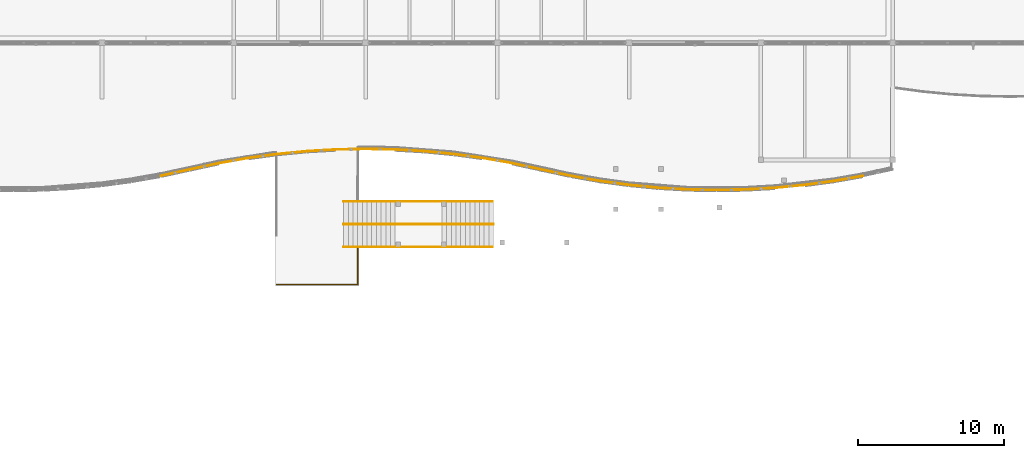
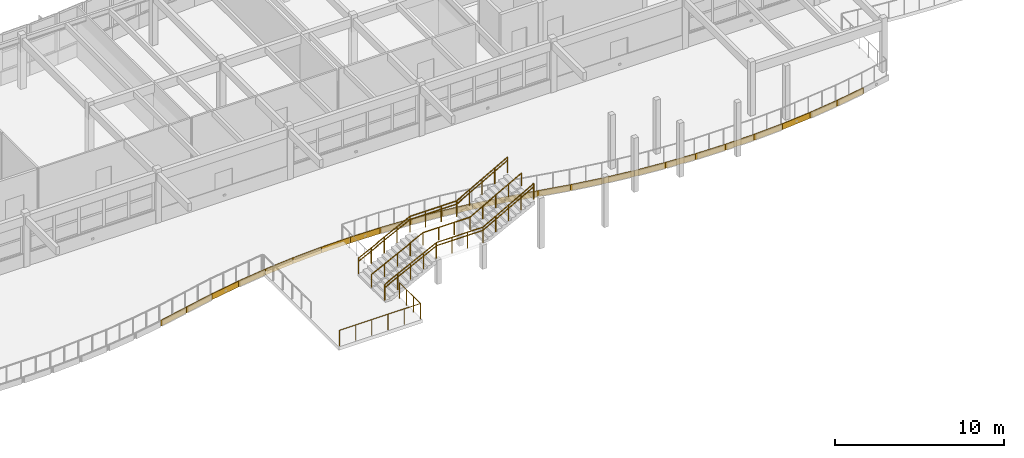
# One storey, part 59 of 63: 24 coverings, 6 railings.
"""IFC4 building model written with IfcOpenShell, lengths in metres."""

from ifc_helpers import new_model, si_unit, direction, frame, origin, origin_2d, place, context, subcontext, project, spatial, polyline, circle, outline, extrude, material, layer, layer_set, type_object, element, save


model = new_model("IFC4")

# Units and contexts
model_context = context("Model", 3, precision=1e-05, world=origin(), true_north=direction((0.0, 1.0)))
body_context = subcontext(model_context, "Body", "Model", "MODEL_VIEW")
ifc_project = project(units=[si_unit("LENGTHUNIT", "METRE"), si_unit("AREAUNIT", "SQUARE_METRE"), si_unit("VOLUMEUNIT", "CUBIC_METRE"), si_unit("PLANEANGLEUNIT", "RADIAN"), si_unit("MASSUNIT", "GRAM", prefix="KILO")], contexts=[model_context])

# Site, building, storey
site_placement = place(None, origin())
site = spatial("IfcSite", under=ifc_project, at=site_placement, CompositionType="ELEMENT")
building_placement = place(site_placement, origin())
building = spatial("IfcBuilding", under=site, at=building_placement, Name="Tonlespit Floodbar School", CompositionType="ELEMENT")
storey_placement = place(building_placement, frame((0.0, 0.0, 8.39990234375)))
storey = spatial("IfcBuildingStorey", under=building, at=storey_placement, Name="L02", CompositionType="ELEMENT", Elevation=8.39990234375)

# Railings
ifc_material_1 = material(Name="Galvanised Steel", Category="steel")
railing_type_1 = type_object("IfcRailingType", Name="Balustrade_Ext_1150", PredefinedType="BALUSTRADE", material=ifc_material_1)
railing_1_placement = place(storey_placement, frame((79.4599609375, 89.9599609375, 0.0)))
element("IfcRailing", 1, at=railing_1_placement, inside=storey, type_object=railing_type_1, Name="L02 terrace balustrade 015", PredefinedType="BALUSTRADE", context=body_context, shape_type="SweptSolid", body=[
    extrude(circle(Radius=0.02392578125, at=origin_2d()), frame((0.0, 0.0, 1.1259765625), z_axis=(0.0, -1.0, 0.0), x_axis=(1.0, 0.0, 0.0)), (0.0, 0.0, 1.0), 2.4794921875),
    extrude(circle(Radius=0.02392578125, at=origin_2d()), frame((0.0, -2.4794921875, 1.1259765625), z_axis=(-0.999999996115, -8.8144557e-05, 0.0), x_axis=(8.8144557e-05, -0.999999996115, 0.0)), (0.0, 0.0, 1.0), 5.53955078125),
    extrude(circle(Radius=0.02099609375, at=origin_2d()), origin(), (0.0, 0.0, 1.0), 1.101806640625),
    extrude(circle(Radius=0.02099609375, at=origin_2d()), frame((0.0, -0.826416015625, 0.0)), (0.0, 0.0, 1.0), 1.101806640625),
    extrude(circle(Radius=0.02099609375, at=origin_2d()), frame((0.0, -1.653076171875, 0.0)), (0.0, 0.0, 1.0), 1.101806640625),
    extrude(circle(Radius=0.02099609375, at=origin_2d()), frame((0.0, -2.4794921875, 0.0)), (0.0, 0.0, 1.0), 1.101806640625),
    extrude(circle(Radius=0.02099609375, at=origin_2d()), frame((-1.10791015625, -2.4794921875, 0.0)), (0.0, 0.0, 1.0), 1.101806640625),
    extrude(circle(Radius=0.02099609375, at=origin_2d()), frame((-2.2158203125, -2.479736328125, 0.0)), (0.0, 0.0, 1.0), 1.101806640625),
    extrude(circle(Radius=0.02099609375, at=origin_2d()), frame((-3.32373046875, -2.479736328125, 0.0)), (0.0, 0.0, 1.0), 1.101806640625),
    extrude(circle(Radius=0.02099609375, at=origin_2d()), frame((-4.431640625, -2.47998046875, 0.0)), (0.0, 0.0, 1.0), 1.101806640625),
    extrude(circle(Radius=0.02099609375, at=origin_2d()), frame((-5.53955078125, -2.47998046875, 0.0)), (0.0, 0.0, 1.0), 1.101806640625),
])
railing_2_placement = place(storey_placement, frame((78.5, 90.0400390625, 0.16259765625)))
element("IfcRailing", 2, at=railing_2_placement, inside=storey, type_object=railing_type_1, Name="ST-CT3 side guard 1", PredefinedType="BALUSTRADE", context=body_context, shape_type="SweptSolid", body=[
    extrude(circle(Radius=0.02392578125, at=origin_2d()), frame((0.0, 0.0, 1.1259765625), z_axis=(0.891614535321, 0.0, 0.452795230103), x_axis=(0.0, 1.0, 0.0)), (0.0, 0.0, 1.0), 3.947998046875),
    extrude(circle(Radius=0.02392578125, at=origin_2d()), frame((3.52001953125, 0.0, 2.91357421875), z_axis=(1.0, 0.0, 0.0), x_axis=(0.0, 1.0, 0.0)), (0.0, 0.0, 1.0), 3.199951171875),
    extrude(circle(Radius=0.02392578125, at=origin_2d()), frame((6.719970703125, 0.0, 2.91357421875), z_axis=(0.871174677944, 0.0, 0.490973197343), x_axis=(0.0, 1.0, 0.0)), (0.0, 0.0, 1.0), 3.9716796875),
    extrude(circle(Radius=0.02099609375, at=origin_2d()), origin(), (0.0, 0.0, 1.0), 1.101806640625),
    extrude(circle(Radius=0.02099609375, at=origin_2d()), frame((0.8798828125, 0.0, 0.44677734375)), (0.0, 0.0, 1.0), 1.101806640625),
    extrude(circle(Radius=0.02099609375, at=origin_2d()), frame((1.760009765625, 0.0, 0.893798828125)), (0.0, 0.0, 1.0), 1.101806640625),
    extrude(circle(Radius=0.02099609375, at=origin_2d()), frame((2.64013671875, 0.0, 1.3408203125)), (0.0, 0.0, 1.0), 1.101806640625),
    extrude(circle(Radius=0.02099609375, at=origin_2d()), frame((3.52001953125, 0.0, 1.78759765625)), (0.0, 0.0, 1.0), 1.101806640625),
    extrude(circle(Radius=0.02099609375, at=origin_2d()), frame((4.586669921875, 0.0, 1.78759765625)), (0.0, 0.0, 1.0), 1.101806640625),
    extrude(circle(Radius=0.02099609375, at=origin_2d()), frame((5.6533203125, 0.0, 1.78759765625)), (0.0, 0.0, 1.0), 1.101806640625),
    extrude(circle(Radius=0.02099609375, at=origin_2d()), frame((6.719970703125, 0.0, 1.78759765625)), (0.0, 0.0, 1.0), 1.101806640625),
    extrude(circle(Radius=0.02099609375, at=origin_2d()), frame((7.5849609375, 0.0, 2.275146484375)), (0.0, 0.0, 1.0), 1.101806640625),
    extrude(circle(Radius=0.02099609375, at=origin_2d()), frame((8.449951171875, 0.0, 2.7626953125)), (0.0, 0.0, 1.0), 1.101806640625),
    extrude(circle(Radius=0.02099609375, at=origin_2d()), frame((9.31494140625, 0.0, 3.25)), (0.0, 0.0, 1.0), 1.101806640625),
    extrude(circle(Radius=0.02099609375, at=origin_2d()), frame((10.179931640625, 0.0, 3.737548828125)), (0.0, 0.0, 1.0), 1.101806640625),
])
railing_3_placement = place(storey_placement, frame((78.5, 93.159912109375, 0.16259765625)))
element("IfcRailing", 3, at=railing_3_placement, inside=storey, type_object=railing_type_1, Name="ST-CT3 side guard 2", PredefinedType="BALUSTRADE", context=body_context, shape_type="SweptSolid", body=[
    extrude(circle(Radius=0.02392578125, at=origin_2d()), frame((0.0, 0.0, 1.1259765625), z_axis=(0.891614535321, 0.0, 0.452795230103), x_axis=(0.0, 1.0, 0.0)), (0.0, 0.0, 1.0), 3.947998046875),
    extrude(circle(Radius=0.02392578125, at=origin_2d()), frame((3.52001953125, 0.0, 2.91357421875), z_axis=(1.0, 0.0, 0.0), x_axis=(0.0, 1.0, 0.0)), (0.0, 0.0, 1.0), 3.199951171875),
    extrude(circle(Radius=0.02392578125, at=origin_2d()), frame((6.719970703125, 0.0, 2.91357421875), z_axis=(0.871174677944, 0.0, 0.490973197343), x_axis=(0.0, 1.0, 0.0)), (0.0, 0.0, 1.0), 3.9716796875),
    extrude(circle(Radius=0.02099609375, at=origin_2d()), origin(), (0.0, 0.0, 1.0), 1.101806640625),
    extrude(circle(Radius=0.02099609375, at=origin_2d()), frame((0.8798828125, 0.0, 0.44677734375)), (0.0, 0.0, 1.0), 1.101806640625),
    extrude(circle(Radius=0.02099609375, at=origin_2d()), frame((1.760009765625, 0.0, 0.893798828125)), (0.0, 0.0, 1.0), 1.101806640625),
    extrude(circle(Radius=0.02099609375, at=origin_2d()), frame((2.64013671875, 0.0, 1.3408203125)), (0.0, 0.0, 1.0), 1.101806640625),
    extrude(circle(Radius=0.02099609375, at=origin_2d()), frame((3.52001953125, 0.0, 1.78759765625)), (0.0, 0.0, 1.0), 1.101806640625),
    extrude(circle(Radius=0.02099609375, at=origin_2d()), frame((4.586669921875, 0.0, 1.78759765625)), (0.0, 0.0, 1.0), 1.101806640625),
    extrude(circle(Radius=0.02099609375, at=origin_2d()), frame((5.6533203125, 0.0, 1.78759765625)), (0.0, 0.0, 1.0), 1.101806640625),
    extrude(circle(Radius=0.02099609375, at=origin_2d()), frame((6.719970703125, 0.0, 1.78759765625)), (0.0, 0.0, 1.0), 1.101806640625),
    extrude(circle(Radius=0.02099609375, at=origin_2d()), frame((7.5849609375, 0.0, 2.275146484375)), (0.0, 0.0, 1.0), 1.101806640625),
    extrude(circle(Radius=0.02099609375, at=origin_2d()), frame((8.449951171875, 0.0, 2.7626953125)), (0.0, 0.0, 1.0), 1.101806640625),
    extrude(circle(Radius=0.02099609375, at=origin_2d()), frame((9.31494140625, 0.0, 3.25)), (0.0, 0.0, 1.0), 1.101806640625),
    extrude(circle(Radius=0.02099609375, at=origin_2d()), frame((10.179931640625, 0.0, 3.737548828125)), (0.0, 0.0, 1.0), 1.101806640625),
])

# Coverings
ifc_material_2 = material(Name="White Architectural Aluminium", Category="aluminium")
ifc_layer = layer(ifc_material_2, 0.050048828125)
ifc_layer_set = layer_set([ifc_layer], Name="White Architectural Aluminium")
covering_type = type_object("IfcCoveringType", Name="Cladding_WhiteBand_50", PredefinedType="CLADDING", material=ifc_layer_set)
covering_1_placement = place(storey_placement, frame((0.0, 0.0, -0.2998046875)))
element("IfcCovering", 4, at=covering_1_placement, inside=storey, type_object=covering_type, Name="L02 curved white spandrel cladding 0189", PredefinedType="CLADDING", context=body_context, shape_type="SweptSolid", body=[
    extrude(outline(polyline([(66.0, 94.927001953125), (68.0, 95.360107421875), (68.0, 95.31005859375), (66.0, 94.876953125), (66.0, 94.927001953125)])), origin(), (0.0, 0.0, 1.0), 0.419921875),
])
covering_2_placement = place(storey_placement, frame((0.0, 0.0, -0.2998046875)))
element("IfcCovering", 5, at=covering_2_placement, inside=storey, type_object=covering_type, Name="L02 curved white spandrel cladding 0190", PredefinedType="CLADDING", context=body_context, shape_type="SweptSolid", body=[
    extrude(outline(polyline([(68.0, 95.360107421875), (70.0, 95.79296875), (70.0, 95.742919921875), (68.0, 95.31005859375), (68.0, 95.360107421875)])), origin(), (0.0, 0.0, 1.0), 0.419921875),
])
covering_3_placement = place(storey_placement, frame((0.0, 0.0, -0.2998046875)))
element("IfcCovering", 6, at=covering_3_placement, inside=storey, type_object=covering_type, Name="L02 curved white spandrel cladding 0191", PredefinedType="CLADDING", context=body_context, shape_type="SweptSolid", body=[
    extrude(outline(polyline([(70.0, 95.79296875), (72.0, 96.14453125), (72.0, 96.094482421875), (70.0, 95.742919921875), (70.0, 95.79296875)])), origin(), (0.0, 0.0, 1.0), 0.419921875),
])
covering_4_placement = place(storey_placement, frame((0.0, 0.0, -0.2998046875)))
element("IfcCovering", 7, at=covering_4_placement, inside=storey, type_object=covering_type, Name="L02 curved white spandrel cladding 0192", PredefinedType="CLADDING", context=body_context, shape_type="SweptSolid", body=[
    extrude(outline(polyline([(72.0, 96.14453125), (74.0, 96.416259765625), (74.0, 96.3662109375), (72.0, 96.094482421875), (72.0, 96.14453125)])), origin(), (0.0, 0.0, 1.0), 0.419921875),
])
covering_5_placement = place(storey_placement, frame((0.0, 0.0, -0.2998046875)))
element("IfcCovering", 8, at=covering_5_placement, inside=storey, type_object=covering_type, Name="L02 curved white spandrel cladding 0193", PredefinedType="CLADDING", context=body_context, shape_type="SweptSolid", body=[
    extrude(outline(polyline([(74.0, 96.416259765625), (76.0, 96.609619140625), (76.0, 96.5595703125), (74.0, 96.3662109375), (74.0, 96.416259765625)])), origin(), (0.0, 0.0, 1.0), 0.419921875),
])
covering_6_placement = place(storey_placement, frame((0.0, 0.0, -0.2998046875)))
element("IfcCovering", 9, at=covering_6_placement, inside=storey, type_object=covering_type, Name="L02 curved white spandrel cladding 0194", PredefinedType="CLADDING", context=body_context, shape_type="SweptSolid", body=[
    extrude(outline(polyline([(76.0, 96.609619140625), (78.0, 96.72509765625), (78.0, 96.675048828125), (76.0, 96.5595703125), (76.0, 96.609619140625)])), origin(), (0.0, 0.0, 1.0), 0.419921875),
])
covering_7_placement = place(storey_placement, frame((0.0, 0.0, -0.2998046875)))
element("IfcCovering", 10, at=covering_7_placement, inside=storey, type_object=covering_type, Name="L02 curved white spandrel cladding 0195", PredefinedType="CLADDING", context=body_context, shape_type="SweptSolid", body=[
    extrude(outline(polyline([(78.0, 96.72509765625), (80.0, 96.763671875), (80.0, 96.713623046875), (78.0, 96.675048828125), (78.0, 96.72509765625)])), origin(), (0.0, 0.0, 1.0), 0.419921875),
])
covering_8_placement = place(storey_placement, frame((0.0, 0.0, -0.2998046875)))
element("IfcCovering", 11, at=covering_8_placement, inside=storey, type_object=covering_type, Name="L02 curved white spandrel cladding 0196", PredefinedType="CLADDING", context=body_context, shape_type="SweptSolid", body=[
    extrude(outline(polyline([(80.0, 96.763671875), (82.0, 96.72509765625), (82.0, 96.675048828125), (80.0, 96.713623046875), (80.0, 96.763671875)])), origin(), (0.0, 0.0, 1.0), 0.419921875),
])
covering_9_placement = place(storey_placement, frame((0.0, 0.0, -0.2998046875)))
element("IfcCovering", 12, at=covering_9_placement, inside=storey, type_object=covering_type, Name="L02 curved white spandrel cladding 0197", PredefinedType="CLADDING", context=body_context, shape_type="SweptSolid", body=[
    extrude(outline(polyline([(82.0, 96.72509765625), (84.0, 96.609619140625), (84.0, 96.5595703125), (82.0, 96.675048828125), (82.0, 96.72509765625)])), origin(), (0.0, 0.0, 1.0), 0.419921875),
])
covering_10_placement = place(storey_placement, frame((0.0, 0.0, -0.2998046875)))
element("IfcCovering", 13, at=covering_10_placement, inside=storey, type_object=covering_type, Name="L02 curved white spandrel cladding 0198", PredefinedType="CLADDING", context=body_context, shape_type="SweptSolid", body=[
    extrude(outline(polyline([(84.0, 96.609619140625), (86.0, 96.416259765625), (86.0, 96.3662109375), (84.0, 96.5595703125), (84.0, 96.609619140625)])), origin(), (0.0, 0.0, 1.0), 0.419921875),
])
covering_11_placement = place(storey_placement, frame((0.0, 0.0, -0.2998046875)))
element("IfcCovering", 14, at=covering_11_placement, inside=storey, type_object=covering_type, Name="L02 curved white spandrel cladding 0199", PredefinedType="CLADDING", context=body_context, shape_type="SweptSolid", body=[
    extrude(outline(polyline([(86.0, 96.416259765625), (88.0, 96.14453125), (88.0, 96.094482421875), (86.0, 96.3662109375), (86.0, 96.416259765625)])), origin(), (0.0, 0.0, 1.0), 0.419921875),
])
covering_12_placement = place(storey_placement, frame((0.0, 0.0, -0.2998046875)))
element("IfcCovering", 15, at=covering_12_placement, inside=storey, type_object=covering_type, Name="L02 curved white spandrel cladding 0200", PredefinedType="CLADDING", context=body_context, shape_type="SweptSolid", body=[
    extrude(outline(polyline([(88.0, 96.14453125), (90.0, 95.79296875), (90.0, 95.742919921875), (88.0, 96.094482421875), (88.0, 96.14453125)])), origin(), (0.0, 0.0, 1.0), 0.419921875),
])
covering_13_placement = place(storey_placement, frame((0.0, 0.0, -0.2998046875)))
element("IfcCovering", 16, at=covering_13_placement, inside=storey, type_object=covering_type, Name="L02 curved white spandrel cladding 0201", PredefinedType="CLADDING", context=body_context, shape_type="SweptSolid", body=[
    extrude(outline(polyline([(90.0, 95.79296875), (92.0, 95.360107421875), (92.0, 95.31005859375), (90.0, 95.742919921875), (90.0, 95.79296875)])), origin(), (0.0, 0.0, 1.0), 0.419921875),
])
covering_14_placement = place(storey_placement, frame((0.0, 0.0, -0.2998046875)))
element("IfcCovering", 17, at=covering_14_placement, inside=storey, type_object=covering_type, Name="L02 curved white spandrel cladding 0202", PredefinedType="CLADDING", context=body_context, shape_type="SweptSolid", body=[
    extrude(outline(polyline([(92.0, 95.360107421875), (94.0, 94.927001953125), (94.0, 94.876953125), (92.0, 95.31005859375), (92.0, 95.360107421875)])), origin(), (0.0, 0.0, 1.0), 0.419921875),
])
covering_15_placement = place(storey_placement, frame((0.0, 0.0, -0.2998046875)))
element("IfcCovering", 18, at=covering_15_placement, inside=storey, type_object=covering_type, Name="L02 curved white spandrel cladding 0203", PredefinedType="CLADDING", context=body_context, shape_type="SweptSolid", body=[
    extrude(outline(polyline([(94.0, 94.927001953125), (96.0, 94.575439453125), (96.0, 94.525390625), (94.0, 94.876953125), (94.0, 94.927001953125)])), origin(), (0.0, 0.0, 1.0), 0.419921875),
])
covering_16_placement = place(storey_placement, frame((0.0, 0.0, -0.2998046875)))
element("IfcCovering", 19, at=covering_16_placement, inside=storey, type_object=covering_type, Name="L02 curved white spandrel cladding 0204", PredefinedType="CLADDING", context=body_context, shape_type="SweptSolid", body=[
    extrude(outline(polyline([(96.0, 94.575439453125), (98.0, 94.3037109375), (98.0, 94.25390625), (96.0, 94.525390625), (96.0, 94.575439453125)])), origin(), (0.0, 0.0, 1.0), 0.419921875),
])
covering_17_placement = place(storey_placement, frame((0.0, 0.0, -0.2998046875)))
element("IfcCovering", 20, at=covering_17_placement, inside=storey, type_object=covering_type, Name="L02 curved white spandrel cladding 0205", PredefinedType="CLADDING", context=body_context, shape_type="SweptSolid", body=[
    extrude(outline(polyline([(98.0, 94.3037109375), (100.0, 94.110595703125), (100.0, 94.060546875), (98.0, 94.25390625), (98.0, 94.3037109375)])), origin(), (0.0, 0.0, 1.0), 0.419921875),
])
covering_18_placement = place(storey_placement, frame((0.0, 0.0, -0.2998046875)))
element("IfcCovering", 21, at=covering_18_placement, inside=storey, type_object=covering_type, Name="L02 curved white spandrel cladding 0206", PredefinedType="CLADDING", context=body_context, shape_type="SweptSolid", body=[
    extrude(outline(polyline([(100.0, 94.110595703125), (102.0, 93.994873046875), (102.0, 93.94482421875), (100.0, 94.060546875), (100.0, 94.110595703125)])), origin(), (0.0, 0.0, 1.0), 0.419921875),
])
covering_19_placement = place(storey_placement, frame((0.0, 0.0, -0.2998046875)))
element("IfcCovering", 22, at=covering_19_placement, inside=storey, type_object=covering_type, Name="L02 curved white spandrel cladding 0207", PredefinedType="CLADDING", context=body_context, shape_type="SweptSolid", body=[
    extrude(outline(polyline([(102.0, 93.994873046875), (104.0, 93.956298828125), (104.0, 93.906494140625), (102.0, 93.94482421875), (102.0, 93.994873046875)])), origin(), (0.0, 0.0, 1.0), 0.419921875),
])
covering_20_placement = place(storey_placement, frame((0.0, 0.0, -0.2998046875)))
element("IfcCovering", 23, at=covering_20_placement, inside=storey, type_object=covering_type, Name="L02 curved white spandrel cladding 0208", PredefinedType="CLADDING", context=body_context, shape_type="SweptSolid", body=[
    extrude(outline(polyline([(104.0, 93.956298828125), (106.0, 93.994873046875), (106.0, 93.94482421875), (104.0, 93.906494140625), (104.0, 93.956298828125)])), origin(), (0.0, 0.0, 1.0), 0.419921875),
])
covering_21_placement = place(storey_placement, frame((0.0, 0.0, -0.2998046875)))
element("IfcCovering", 24, at=covering_21_placement, inside=storey, type_object=covering_type, Name="L02 curved white spandrel cladding 0209", PredefinedType="CLADDING", context=body_context, shape_type="SweptSolid", body=[
    extrude(outline(polyline([(106.0, 93.994873046875), (108.0, 94.110595703125), (108.0, 94.060546875), (106.0, 93.94482421875), (106.0, 93.994873046875)])), origin(), (0.0, 0.0, 1.0), 0.419921875),
])
covering_22_placement = place(storey_placement, frame((0.0, 0.0, -0.2998046875)))
element("IfcCovering", 25, at=covering_22_placement, inside=storey, type_object=covering_type, Name="L02 curved white spandrel cladding 0210", PredefinedType="CLADDING", context=body_context, shape_type="SweptSolid", body=[
    extrude(outline(polyline([(108.0, 94.110595703125), (110.0, 94.3037109375), (110.0, 94.25390625), (108.0, 94.060546875), (108.0, 94.110595703125)])), origin(), (0.0, 0.0, 1.0), 0.419921875),
])
covering_23_placement = place(storey_placement, frame((0.0, 0.0, -0.2998046875)))
element("IfcCovering", 26, at=covering_23_placement, inside=storey, type_object=covering_type, Name="L02 curved white spandrel cladding 0211", PredefinedType="CLADDING", context=body_context, shape_type="SweptSolid", body=[
    extrude(outline(polyline([(110.0, 94.3037109375), (112.0, 94.575439453125), (112.0, 94.525390625), (110.0, 94.25390625), (110.0, 94.3037109375)])), origin(), (0.0, 0.0, 1.0), 0.419921875),
])
covering_24_placement = place(storey_placement, frame((0.0, 0.0, -0.2998046875)))
element("IfcCovering", 27, at=covering_24_placement, inside=storey, type_object=covering_type, Name="L02 curved white spandrel cladding 0212", PredefinedType="CLADDING", context=body_context, shape_type="SweptSolid", body=[
    extrude(outline(polyline([(112.0, 94.575439453125), (114.0, 94.927001953125), (114.0, 94.876953125), (112.0, 94.525390625), (112.0, 94.575439453125)])), origin(), (0.0, 0.0, 1.0), 0.419921875),
])

# Railings
railing_type_2 = type_object("IfcRailingType", Name="Handrail_Ext_920", PredefinedType="HANDRAIL", material=ifc_material_1)
railing_4_placement = place(storey_placement, frame((78.5, 91.60009765625, 0.16259765625)))
element("IfcRailing", 28, at=railing_4_placement, inside=storey, type_object=railing_type_2, Name="ST-CT3 central handrail", PredefinedType="HANDRAIL", context=body_context, shape_type="SweptSolid", body=[
    extrude(circle(Radius=0.02392578125, at=origin_2d()), frame((0.0, 0.0, 0.89599609375), z_axis=(0.891614535321, 0.0, 0.452795230103), x_axis=(0.0, 1.0, 0.0)), (0.0, 0.0, 1.0), 3.947998046875),
    extrude(circle(Radius=0.02392578125, at=origin_2d()), frame((3.52001953125, 0.0, 2.68359375), z_axis=(1.0, 0.0, 0.0), x_axis=(0.0, 1.0, 0.0)), (0.0, 0.0, 1.0), 3.199951171875),
    extrude(circle(Radius=0.02392578125, at=origin_2d()), frame((6.719970703125, 0.0, 2.68359375), z_axis=(0.874749022873, 0.0, 0.484576255076), x_axis=(0.0, 1.0, 0.0)), (0.0, 0.0, 1.0), 4.02392578125),
    extrude(circle(Radius=0.02099609375, at=origin_2d()), origin(), (0.0, 0.0, 1.0), 0.871826171875),
    extrude(circle(Radius=0.02099609375, at=origin_2d()), frame((0.8798828125, 0.0, 0.44677734375)), (0.0, 0.0, 1.0), 0.871826171875),
    extrude(circle(Radius=0.02099609375, at=origin_2d()), frame((1.760009765625, 0.0, 0.893798828125)), (0.0, 0.0, 1.0), 0.871826171875),
    extrude(circle(Radius=0.02099609375, at=origin_2d()), frame((2.64013671875, 0.0, 1.3408203125)), (0.0, 0.0, 1.0), 0.871826171875),
    extrude(circle(Radius=0.02099609375, at=origin_2d()), frame((3.52001953125, 0.0, 1.78759765625)), (0.0, 0.0, 1.0), 0.871826171875),
    extrude(circle(Radius=0.02099609375, at=origin_2d()), frame((4.586669921875, 0.0, 1.78759765625)), (0.0, 0.0, 1.0), 0.871826171875),
    extrude(circle(Radius=0.02099609375, at=origin_2d()), frame((5.6533203125, 0.0, 1.78759765625)), (0.0, 0.0, 1.0), 0.871826171875),
    extrude(circle(Radius=0.02099609375, at=origin_2d()), frame((6.719970703125, 0.0, 1.78759765625)), (0.0, 0.0, 1.0), 0.871826171875),
    extrude(circle(Radius=0.02099609375, at=origin_2d()), frame((7.60009765625, 0.0, 2.275146484375)), (0.0, 0.0, 1.0), 0.871826171875),
    extrude(circle(Radius=0.02099609375, at=origin_2d()), frame((8.47998046875, 0.0, 2.7626953125)), (0.0, 0.0, 1.0), 0.871826171875),
    extrude(circle(Radius=0.02099609375, at=origin_2d()), frame((9.35986328125, 0.0, 3.25)), (0.0, 0.0, 1.0), 0.871826171875),
    extrude(circle(Radius=0.02099609375, at=origin_2d()), frame((10.239990234375, 0.0, 3.737548828125)), (0.0, 0.0, 1.0), 0.871826171875),
])
railing_5_placement = place(storey_placement, frame((78.5, 90.0400390625, 0.16259765625)))
element("IfcRailing", 29, at=railing_5_placement, inside=storey, type_object=railing_type_2, Name="ST-CT3 handrail 1", PredefinedType="HANDRAIL", context=body_context, shape_type="SweptSolid", body=[
    extrude(circle(Radius=0.02392578125, at=origin_2d()), frame((0.0, 0.0, 0.89599609375), z_axis=(0.891614535321, 0.0, 0.452795230103), x_axis=(0.0, 1.0, 0.0)), (0.0, 0.0, 1.0), 3.947998046875),
    extrude(circle(Radius=0.02392578125, at=origin_2d()), frame((3.52001953125, 0.0, 2.68359375), z_axis=(1.0, 0.0, 0.0), x_axis=(0.0, 1.0, 0.0)), (0.0, 0.0, 1.0), 3.199951171875),
    extrude(circle(Radius=0.02392578125, at=origin_2d()), frame((6.719970703125, 0.0, 2.68359375), z_axis=(0.871174677944, 0.0, 0.490973197343), x_axis=(0.0, 1.0, 0.0)), (0.0, 0.0, 1.0), 3.9716796875),
    extrude(circle(Radius=0.02099609375, at=origin_2d()), origin(), (0.0, 0.0, 1.0), 0.871826171875),
    extrude(circle(Radius=0.02099609375, at=origin_2d()), frame((0.8798828125, 0.0, 0.44677734375)), (0.0, 0.0, 1.0), 0.871826171875),
    extrude(circle(Radius=0.02099609375, at=origin_2d()), frame((1.760009765625, 0.0, 0.893798828125)), (0.0, 0.0, 1.0), 0.871826171875),
    extrude(circle(Radius=0.02099609375, at=origin_2d()), frame((2.64013671875, 0.0, 1.3408203125)), (0.0, 0.0, 1.0), 0.871826171875),
    extrude(circle(Radius=0.02099609375, at=origin_2d()), frame((3.52001953125, 0.0, 1.78759765625)), (0.0, 0.0, 1.0), 0.871826171875),
    extrude(circle(Radius=0.02099609375, at=origin_2d()), frame((4.586669921875, 0.0, 1.78759765625)), (0.0, 0.0, 1.0), 0.871826171875),
    extrude(circle(Radius=0.02099609375, at=origin_2d()), frame((5.6533203125, 0.0, 1.78759765625)), (0.0, 0.0, 1.0), 0.871826171875),
    extrude(circle(Radius=0.02099609375, at=origin_2d()), frame((6.719970703125, 0.0, 1.78759765625)), (0.0, 0.0, 1.0), 0.871826171875),
    extrude(circle(Radius=0.02099609375, at=origin_2d()), frame((7.5849609375, 0.0, 2.275146484375)), (0.0, 0.0, 1.0), 0.871826171875),
    extrude(circle(Radius=0.02099609375, at=origin_2d()), frame((8.449951171875, 0.0, 2.7626953125)), (0.0, 0.0, 1.0), 0.871826171875),
    extrude(circle(Radius=0.02099609375, at=origin_2d()), frame((9.31494140625, 0.0, 3.25)), (0.0, 0.0, 1.0), 0.871826171875),
    extrude(circle(Radius=0.02099609375, at=origin_2d()), frame((10.179931640625, 0.0, 3.737548828125)), (0.0, 0.0, 1.0), 0.871826171875),
])
railing_6_placement = place(storey_placement, frame((78.5, 93.159912109375, 0.16259765625)))
element("IfcRailing", 30, at=railing_6_placement, inside=storey, type_object=railing_type_2, Name="ST-CT3 handrail 2", PredefinedType="HANDRAIL", context=body_context, shape_type="SweptSolid", body=[
    extrude(circle(Radius=0.02392578125, at=origin_2d()), frame((0.0, 0.0, 0.89599609375), z_axis=(0.891614535321, 0.0, 0.452795230103), x_axis=(0.0, 1.0, 0.0)), (0.0, 0.0, 1.0), 3.947998046875),
    extrude(circle(Radius=0.02392578125, at=origin_2d()), frame((3.52001953125, 0.0, 2.68359375), z_axis=(1.0, 0.0, 0.0), x_axis=(0.0, 1.0, 0.0)), (0.0, 0.0, 1.0), 3.199951171875),
    extrude(circle(Radius=0.02392578125, at=origin_2d()), frame((6.719970703125, 0.0, 2.68359375), z_axis=(0.871174677944, 0.0, 0.490973197343), x_axis=(0.0, 1.0, 0.0)), (0.0, 0.0, 1.0), 3.9716796875),
    extrude(circle(Radius=0.02099609375, at=origin_2d()), origin(), (0.0, 0.0, 1.0), 0.871826171875),
    extrude(circle(Radius=0.02099609375, at=origin_2d()), frame((0.8798828125, 0.0, 0.44677734375)), (0.0, 0.0, 1.0), 0.871826171875),
    extrude(circle(Radius=0.02099609375, at=origin_2d()), frame((1.760009765625, 0.0, 0.893798828125)), (0.0, 0.0, 1.0), 0.871826171875),
    extrude(circle(Radius=0.02099609375, at=origin_2d()), frame((2.64013671875, 0.0, 1.3408203125)), (0.0, 0.0, 1.0), 0.871826171875),
    extrude(circle(Radius=0.02099609375, at=origin_2d()), frame((3.52001953125, 0.0, 1.78759765625)), (0.0, 0.0, 1.0), 0.871826171875),
    extrude(circle(Radius=0.02099609375, at=origin_2d()), frame((4.586669921875, 0.0, 1.78759765625)), (0.0, 0.0, 1.0), 0.871826171875),
    extrude(circle(Radius=0.02099609375, at=origin_2d()), frame((5.6533203125, 0.0, 1.78759765625)), (0.0, 0.0, 1.0), 0.871826171875),
    extrude(circle(Radius=0.02099609375, at=origin_2d()), frame((6.719970703125, 0.0, 1.78759765625)), (0.0, 0.0, 1.0), 0.871826171875),
    extrude(circle(Radius=0.02099609375, at=origin_2d()), frame((7.5849609375, 0.0, 2.275146484375)), (0.0, 0.0, 1.0), 0.871826171875),
    extrude(circle(Radius=0.02099609375, at=origin_2d()), frame((8.449951171875, 0.0, 2.7626953125)), (0.0, 0.0, 1.0), 0.871826171875),
    extrude(circle(Radius=0.02099609375, at=origin_2d()), frame((9.31494140625, 0.0, 3.25)), (0.0, 0.0, 1.0), 0.871826171875),
    extrude(circle(Radius=0.02099609375, at=origin_2d()), frame((10.179931640625, 0.0, 3.737548828125)), (0.0, 0.0, 1.0), 0.871826171875),
])

save(model, "model.ifc")
